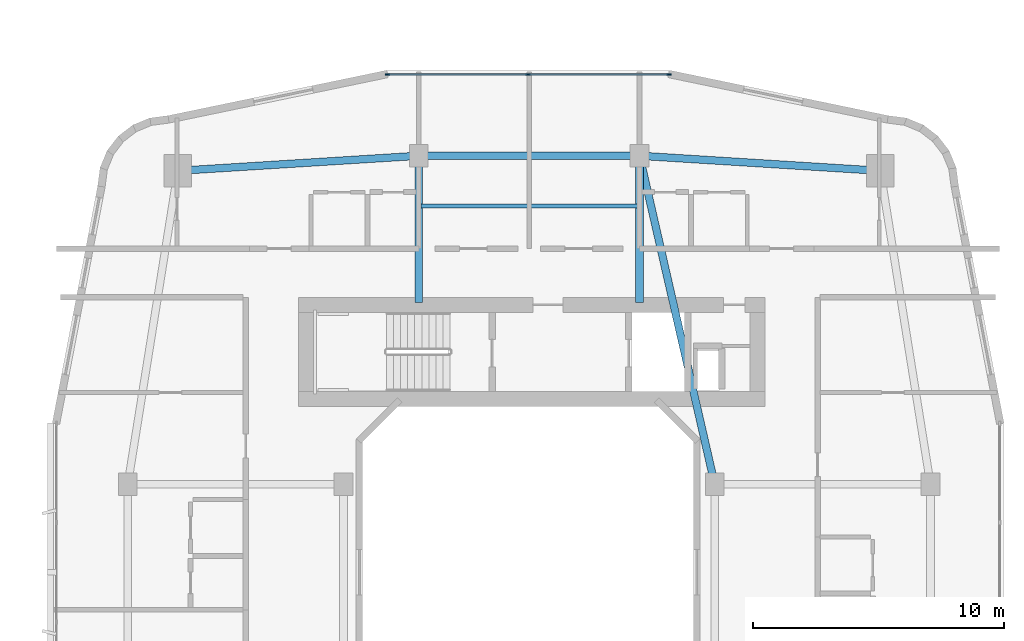
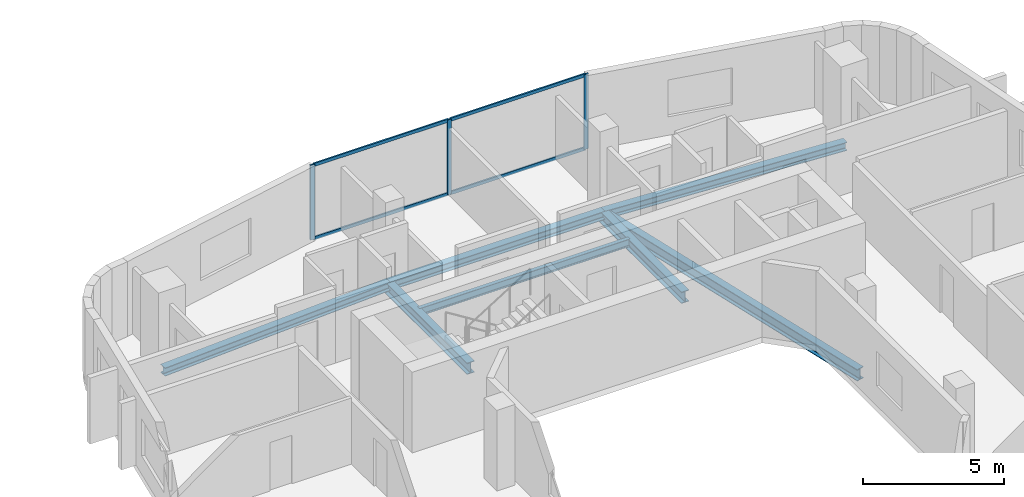
# One storey, part 11 of 27: 7 beams, 7 members, 1 element without a shape of its own.
"""IFC4 building model written with IfcOpenShell, lengths in metres."""

import ifcopenshell
import ifcopenshell.guid

model = None  # the IFC model being written
_history = None  # IfcOwnerHistory: only IFC2X3 demands one
_inside = {}  # id of a spatial element -> (the spatial element, [elements in it])
_under = {}  # id of a project, library or spatial element -> (it, [spatial elements below it])
_declared = {}  # id of a project -> (the project, [libraries it declares])
_typed = {}  # id of a type object -> (the type object, [elements of that type])
_made_of = {}  # id of a material, layer set ... -> (it, [elements and type objects made of it])


def new_model(schema):
    """Start an empty IFC model of exactly this schema.

    Asked for "IFC4X3", IfcOpenShell would pick the latest addendum, in which some entities
    have other attributes; the version numbers below select the first issue.
    IFC2X3 requires an IfcOwnerHistory on every rooted entity: one is made here for all.
    """
    global model, _history
    if schema == "IFC4X3":
        model = ifcopenshell.file(schema_version=(4, 3, 0, 0))
    else:
        model = ifcopenshell.file(schema=schema)
    _inside.clear()
    _under.clear()
    _declared.clear()
    _typed.clear()
    _made_of.clear()
    _history = None
    if model.schema == "IFC2X3":
        org = make("IfcOrganization", Name="unknown")
        user = make(
            "IfcPersonAndOrganization",
            ThePerson=make("IfcPerson", FamilyName="unknown"),
            TheOrganization=org,
        )
        app = make(
            "IfcApplication",
            ApplicationDeveloper=org,
            Version="unknown",
            ApplicationFullName="unknown",
            ApplicationIdentifier="unknown",
        )
        _history = make(
            "IfcOwnerHistory",
            OwningUser=user,
            OwningApplication=app,
            ChangeAction="ADDED",
            CreationDate=0,
        )
    return model


def make(cls, **values):
    """One entity of the class cls with the attributes given. An attribute that is None is left unset."""
    return model.create_entity(
        cls, **{name: value for name, value in values.items() if value is not None}
    )


def rooted(cls, **values):
    """An entity with a GlobalId (a new one), such as an element, a storey or a relation."""
    return make(cls, GlobalId=ifcopenshell.guid.new(), OwnerHistory=_history, **values)


def si_unit(unit_type, name, prefix=None):
    """IfcSIUnit, for example si_unit("LENGTHUNIT", "METRE", prefix="MILLI")."""
    return make("IfcSIUnit", UnitType=unit_type, Prefix=prefix, Name=name)


def derived_unit(unit_type, elements):
    """IfcDerivedUnit: a product of units, each with its exponent."""
    return make(
        "IfcDerivedUnit",
        Elements=[
            make("IfcDerivedUnitElement", Unit=unit, Exponent=power)
            for unit, power in elements
        ],
        UnitType=unit_type,
    )


def assignment(units):
    """IfcUnitAssignment: the units of a project."""
    return None if units is None else make("IfcUnitAssignment", Units=units)


def point(xyz):
    """IfcCartesianPoint."""
    return None if xyz is None else make("IfcCartesianPoint", Coordinates=xyz)


def direction(xyz):
    """IfcDirection."""
    return None if xyz is None else make("IfcDirection", DirectionRatios=xyz)


def frame(location, z_axis=None, x_axis=None):
    """IfcAxis2Placement3D, a coordinate frame: its origin and axes. An axis left out is left unset."""
    return make(
        "IfcAxis2Placement3D",
        Location=point(location),
        Axis=direction(z_axis),
        RefDirection=direction(x_axis),
    )


def frame_2d(location, x_axis=None):
    """IfcAxis2Placement2D, a coordinate frame in the plane: its origin and x axis."""
    return make(
        "IfcAxis2Placement2D", Location=point(location), RefDirection=direction(x_axis)
    )


def origin():
    """The frame at (0, 0, 0) with its axes left unset."""
    return frame((0.0, 0.0, 0.0))


def origin_2d():
    """The frame at (0, 0) in the plane with its x axis left unset."""
    return frame_2d((0.0, 0.0))


def place(relative_to, where):
    """IfcLocalPlacement: puts the frame where relative to a parent placement (None: the world)."""
    return make(
        "IfcLocalPlacement", PlacementRelTo=relative_to, RelativePlacement=where
    )


def context(
    kind, dimensions, precision=None, world=None, true_north=None, identifier=None
):
    """IfcGeometricRepresentationContext, for example the 3D "Model" context."""
    return make(
        "IfcGeometricRepresentationContext",
        ContextIdentifier=identifier,
        ContextType=kind,
        CoordinateSpaceDimension=dimensions,
        Precision=precision,
        WorldCoordinateSystem=world,
        TrueNorth=true_north,
    )


def subcontext(parent, identifier, kind, view, scale=None):
    """IfcGeometricRepresentationSubContext, for example "Body" below "Model"."""
    return make(
        "IfcGeometricRepresentationSubContext",
        ContextIdentifier=identifier,
        ContextType=kind,
        ParentContext=parent,
        TargetScale=scale,
        TargetView=view,
    )


def project(units=None, contexts=None):
    """IfcProject with its units and contexts."""
    return rooted(
        "IfcProject",
        Name="project",
        RepresentationContexts=contexts,
        UnitsInContext=assignment(units),
    )


def spatial(cls, under=None, at=None, **own):
    """A site, building, storey or space (cls), placed at a placement, below another one or the project."""
    s = rooted(cls, ObjectPlacement=at, **own)
    if under is not None:
        _under.setdefault(under.id(), (under, []))[1].append(s)
    return s


def profile(cls, at=None, kind="AREA", **sizes):
    """A parametric profile (cls). Its sizes go by their IFC names, for example OverallWidth=200.0."""
    return make(cls, ProfileType=kind, Position=at, **sizes)


def rectangle(**sizes):
    """IfcRectangleProfileDef."""
    return profile("IfcRectangleProfileDef", **sizes)


def i_section(**sizes):
    """IfcIShapeProfileDef."""
    return profile("IfcIShapeProfileDef", **sizes)


def extrude(swept, where, along, depth):
    """IfcExtrudedAreaSolid: the profile swept, set in the frame where, extruded along a direction by depth."""
    return make(
        "IfcExtrudedAreaSolid",
        SweptArea=swept,
        Position=where,
        ExtrudedDirection=direction(along),
        Depth=depth,
    )


def shape(context_of_items, identifier, shape_type, items):
    """IfcShapeRepresentation: the items that make up one representation, for example the "Body"."""
    return make(
        "IfcShapeRepresentation",
        ContextOfItems=context_of_items,
        RepresentationIdentifier=identifier,
        RepresentationType=shape_type,
        Items=items,
    )


def material(Name=None, Category=None):
    """IfcMaterial."""
    return make("IfcMaterial", Name=Name, Category=Category)


def layer(
    of_material, thickness, ventilated=None, Name=None, Category=None, Priority=None
):
    """IfcMaterialLayer: one layer of a wall or slab, of a material (None: an air gap)."""
    return make(
        "IfcMaterialLayer",
        Material=of_material,
        LayerThickness=thickness,
        IsVentilated=ventilated,
        Name=Name,
        Category=Category,
        Priority=Priority,
    )


def layer_set(layers, Name=None):
    """IfcMaterialLayerSet."""
    return make("IfcMaterialLayerSet", MaterialLayers=layers, LayerSetName=Name)


def material_profile(
    of_material, cross_section, Name=None, Category=None, Priority=None
):
    """IfcMaterialProfile: a cross section and its material."""
    return make(
        "IfcMaterialProfile",
        Name=Name,
        Material=of_material,
        Profile=cross_section,
        Priority=Priority,
        Category=Category,
    )


def profile_set(profiles, Name=None, composite=None):
    """IfcMaterialProfileSet."""
    return make(
        "IfcMaterialProfileSet",
        Name=Name,
        MaterialProfiles=profiles,
        CompositeProfile=composite,
    )


def made_of(thing, what):
    """Note that an element or type object is made of a material, layer set ...; save() writes the relation."""
    if what is not None:
        _made_of.setdefault(what.id(), (what, []))[1].append(thing)
    return thing


def type_object(cls, material=None, **own):
    """A type object (cls), such as IfcWallType, which elements share."""
    return made_of(rooted(cls, **own), material)


def element(
    cls,
    number,
    at=None,
    inside=None,
    cuts=None,
    type_object=None,
    material=None,
    context=None,
    identifier="Body",
    shape_type=None,
    held_by="IfcProductDefinitionShape",
    body=None,
    shapes=None,
    **own,
):
    """One element of the class cls, such as IfcWall. Its Tag is "e" and its number.

    at: its placement. inside: the storey or other place that contains it. cuts: it is an
    opening in that element (IfcRelVoidsElement). A single representation is given by context,
    identifier, shape_type and body (its items); several are given by shapes. held_by: the class
    of the entity that holds the representations. save() writes the other relations.
    """
    e = rooted(cls, Tag="e%d" % number, ObjectPlacement=at, **own)
    if body is not None:
        shapes = [shape(context, identifier, shape_type, body)]
    if shapes is not None:
        e.Representation = make(held_by, Representations=shapes)
    if inside is not None:
        _inside.setdefault(inside.id(), (inside, []))[1].append(e)
    if cuts is not None:
        rooted(
            "IfcRelVoidsElement", RelatingBuildingElement=cuts, RelatedOpeningElement=e
        )
    if type_object is not None:
        _typed.setdefault(type_object.id(), (type_object, []))[1].append(e)
    return made_of(e, material)


def aggregate(whole, parts):
    """IfcRelAggregates: a whole, such as a stair, and the parts it consists of."""
    return rooted("IfcRelAggregates", RelatingObject=whole, RelatedObjects=parts)


def save(model, path):
    """Write the relations noted so far, then the file.

    IfcRelAggregates (storeys below a building ...), IfcRelContainedInSpatialStructure (elements
    in a storey), IfcRelDefinesByType, IfcRelAssociatesMaterial and IfcRelDeclares: one each for
    every whole, place, type object, material and project.
    """
    for whole, parts in _under.values():
        aggregate(whole, parts)
    for where, things in _inside.values():
        rooted(
            "IfcRelContainedInSpatialStructure",
            RelatedElements=things,
            RelatingStructure=where,
        )
    for kind, things in _typed.values():
        rooted("IfcRelDefinesByType", RelatedObjects=things, RelatingType=kind)
    for what, things in _made_of.values():
        rooted("IfcRelAssociatesMaterial", RelatedObjects=things, RelatingMaterial=what)
    for by, libraries in _declared.values():
        rooted("IfcRelDeclares", RelatingContext=by, RelatedDefinitions=libraries)
    model.write(path)


model = new_model("IFC4")

# Units and contexts
model_context = context("Model", 3, precision=1e-05, world=origin(), true_north=direction((0.0, 1.0)))
body_context = subcontext(model_context, "Body", "Model", "MODEL_VIEW")
ifc_project = project(units=[si_unit("LENGTHUNIT", "METRE"), si_unit("AREAUNIT", "SQUARE_METRE"), si_unit("VOLUMEUNIT", "CUBIC_METRE"), si_unit("PLANEANGLEUNIT", "RADIAN"), si_unit("MASSUNIT", "GRAM", prefix="KILO"), derived_unit("THERMALTRANSMITTANCEUNIT", [(si_unit("POWERUNIT", "WATT"), 1), (si_unit("LENGTHUNIT", "METRE"), -2), (si_unit("THERMODYNAMICTEMPERATUREUNIT", "KELVIN"), -1)])], contexts=[model_context])

# Site, building, storey
site_placement = place(None, origin())
site = spatial("IfcSite", under=ifc_project, at=site_placement, CompositionType="ELEMENT")
building_placement = place(site_placement, origin())
building = spatial("IfcBuilding", under=site, at=building_placement, Name="Kivonza Crest Hotel", CompositionType="ELEMENT")
storey_placement = place(building_placement, frame((0.0, 0.0, 41.5)))
storey = spatial("IfcBuildingStorey", under=building, at=storey_placement, Name="L10", CompositionType="ELEMENT", Elevation=41.5)

# Beams
ifc_material_1 = material(Name="Steel S355", Category="steel")
ifc_material_profile_1 = material_profile(ifc_material_1, i_section(OverallWidth=0.300048828125, OverallDepth=0.360107421875, WebThickness=0.012451171875, FlangeThickness=0.0224609375, FilletRadius=0.027099609375, at=origin_2d()), Name="HEB 360")
ifc_profile_set_1 = profile_set([ifc_material_profile_1], Name="Steel S355")
beam_type_1 = type_object("IfcBeamType", Name="BM-HEB360", PredefinedType="SPANDREL", material=ifc_profile_set_1)
beam_1_placement = place(storey_placement, frame((91.0, 41.0, -0.429931640625), z_axis=(-0.998051985873, 0.062387767186, 0.0), x_axis=(-0.062387767186, -0.998051985873, 0.0)))
element("IfcBeam", 1, at=beam_1_placement, inside=storey, type_object=beam_type_1, Name="Companion Tower T2 L10 perimeter spandrel NE-N2", PredefinedType="SPANDREL", context=body_context, shape_type="SweptSolid", body=[
    extrude(i_section(OverallWidth=0.300048828125, OverallDepth=0.360107421875, WebThickness=0.012451171875, FlangeThickness=0.0224609375, FilletRadius=0.027099609375, at=origin_2d()), origin(), (0.0, 0.0, 1.0), 9.618896484375),
])
beam_2_placement = place(storey_placement, frame((81.39990234375, 41.60009765625, -0.429931640625), z_axis=(-1.0, 0.0, 0.0), x_axis=(0.0, -1.0, 0.0)))
element("IfcBeam", 2, at=beam_2_placement, inside=storey, type_object=beam_type_1, Name="Companion Tower T2 L10 perimeter spandrel N2-N1", PredefinedType="SPANDREL", context=body_context, shape_type="SweptSolid", body=[
    extrude(i_section(OverallWidth=0.300048828125, OverallDepth=0.360107421875, WebThickness=0.012451171875, FlangeThickness=0.0224609375, FilletRadius=0.027099609375, at=origin_2d()), origin(), (0.0, 0.0, 1.0), 8.7998046875),
])
beam_3_placement = place(storey_placement, frame((72.60009765625, 41.60009765625, -0.429931640625), z_axis=(-0.998051985873, -0.062387767186, 0.0), x_axis=(0.062387767186, -0.998051985873, 0.0)))
element("IfcBeam", 3, at=beam_3_placement, inside=storey, type_object=beam_type_1, Name="Companion Tower T2 L10 perimeter spandrel N1-NW", PredefinedType="SPANDREL", context=body_context, shape_type="SweptSolid", body=[
    extrude(i_section(OverallWidth=0.300048828125, OverallDepth=0.360107421875, WebThickness=0.012451171875, FlangeThickness=0.0224609375, FilletRadius=0.027099609375, at=origin_2d()), origin(), (0.0, 0.0, 1.0), 9.618896484375),
])
ifc_material_profile_2 = material_profile(ifc_material_1, i_section(OverallWidth=0.300048828125, OverallDepth=0.5, WebThickness=0.014404296875, FlangeThickness=0.028076171875, FilletRadius=0.027099609375, at=origin_2d()), Name="HEB 500")
ifc_profile_set_2 = profile_set([ifc_material_profile_2], Name="Steel S355")
beam_type_2 = type_object("IfcBeamType", Name="BM-HEB500", PredefinedType="BEAM", material=ifc_profile_set_2)
beam_4_placement = place(storey_placement, frame((84.39990234375, 28.5, -0.5), z_axis=(-0.223227287589, 0.974766422317, 0.0), x_axis=(-0.974766422317, -0.223227287589, 0.0)))
element("IfcBeam", 4, at=beam_4_placement, inside=storey, type_object=beam_type_2, Name="Companion Tower T2 L10 girder WR2-N2", PredefinedType="BEAM", context=body_context, shape_type="SweptSolid", body=[
    extrude(i_section(OverallWidth=0.300048828125, OverallDepth=0.5, WebThickness=0.014404296875, FlangeThickness=0.028076171875, FilletRadius=0.027099609375, at=origin_2d()), origin(), (0.0, 0.0, 1.0), 13.439208984375),
])
for number, where, z_axis, x_axis, name in (
    (5, (72.60009765625, 41.60009765625, -0.5), (0.0, -1.0, 0.0), (1.0, 0.0, 0.0), "Companion T2 L10 radial core girder RN1"),
    (6, (81.39990234375, 41.60009765625, -0.5), (0.0, -1.0, 0.0), (1.0, 0.0, 0.0), "Companion T2 L10 radial core girder RN2"),
):
    element("IfcBeam", number, at=place(storey_placement, frame(where, z_axis=z_axis, x_axis=x_axis)), inside=storey, type_object=beam_type_2, Name=name, PredefinedType="BEAM", context=body_context, shape_type="SweptSolid", body=[
        extrude(i_section(OverallWidth=0.300048828125, OverallDepth=0.5, WebThickness=0.014404296875, FlangeThickness=0.028076171875, FilletRadius=0.027099609375, at=origin_2d()), origin(), (0.0, 0.0, 1.0), 5.85009765625),
    ])
ifc_material_profile_3 = material_profile(ifc_material_1, i_section(OverallWidth=0.159912109375, OverallDepth=0.330078125, WebThickness=0.007568359375, FlangeThickness=0.011474609375, FilletRadius=0.01806640625, at=origin_2d()), Name="IPE 330")
ifc_profile_set_3 = profile_set([ifc_material_profile_3], Name="Steel S355")
beam_type_3 = type_object("IfcBeamType", Name="BM-IPE330", PredefinedType="JOIST", material=ifc_profile_set_3)
beam_5_placement = place(storey_placement, frame((72.679931640625, 39.60009765625, -0.4150390625), z_axis=(1.0, 0.0, 0.0), x_axis=(0.0, 1.0, 0.0)))
element("IfcBeam", 7, at=beam_5_placement, inside=storey, type_object=beam_type_3, Name="Companion Tower T2 L10 North floor joist", PredefinedType="JOIST", context=body_context, shape_type="SweptSolid", body=[
    extrude(i_section(OverallWidth=0.159912109375, OverallDepth=0.330078125, WebThickness=0.007568359375, FlangeThickness=0.011474609375, FilletRadius=0.01806640625, at=origin_2d()), origin(), (0.0, 0.0, 1.0), 8.64013671875),
])

# Curtain wall, members
ifc_material_2 = material(Name="Anodised bronze aluminium and low-E double glazing", Category="aluminium")
ifc_layer = layer(ifc_material_2, 0.179931640625)
ifc_layer_set = layer_set([ifc_layer], Name="Anodised bronze aluminium and low-E double glazing")
curtain_wall_type = type_object("IfcCurtainWallType", Name="CW-SYS-4", PredefinedType="NOTDEFINED", material=ifc_layer_set)
curtain_wall_placement = place(storey_placement, origin())
curtain_wall = element("IfcCurtainWall", 8, at=curtain_wall_placement, inside=storey, type_object=curtain_wall_type, Name="L10 unitised curtain wall CW-T2-L10-26", PredefinedType="NOTDEFINED")
ifc_material_3 = material(Name="Anodised bronze aluminium", Category="aluminium")
ifc_material_profile_4 = material_profile(ifc_material_3, rectangle(XDim=0.06494140625, YDim=0.179931640625, at=origin_2d()), Name="CW-M 65x180")
ifc_profile_set_4 = profile_set([ifc_material_profile_4], Name="Anodised bronze aluminium")
member_type_1 = type_object("IfcMemberType", Name="CW-MUL-65x180", PredefinedType="MULLION", material=ifc_profile_set_4)
member_1_placement = place(storey_placement, frame((82.575439453125, 44.840087890625, 0.0), z_axis=(0.0, 0.0, 1.0), x_axis=(0.0, -1.0, 0.0)))
member_1 = element("IfcMember", 9, at=member_1_placement, type_object=member_type_1, Name="CW-4 mullion 1", PredefinedType="MULLION", context=body_context, shape_type="SweptSolid", body=[
    extrude(rectangle(XDim=0.06494140625, YDim=0.179931640625, at=origin_2d()), origin(), (0.0, 0.0, 1.0), 3.25),
])
member_2_placement = place(storey_placement, frame((76.9599609375, 44.840087890625, 0.0), z_axis=(0.0, 0.0, 1.0), x_axis=(0.0, -1.0, 0.0)))
member_2 = element("IfcMember", 10, at=member_2_placement, type_object=member_type_1, Name="CW-4 mullion 2", PredefinedType="MULLION", context=body_context, shape_type="SweptSolid", body=[
    extrude(rectangle(XDim=0.06494140625, YDim=0.179931640625, at=origin_2d()), origin(), (0.0, 0.0, 1.0), 3.25),
])
member_3_placement = place(storey_placement, frame((71.344482421875, 44.840087890625, 0.0), z_axis=(0.0, 0.0, 1.0), x_axis=(0.0, -1.0, 0.0)))
member_3 = element("IfcMember", 11, at=member_3_placement, type_object=member_type_1, Name="CW-4 mullion 3", PredefinedType="MULLION", context=body_context, shape_type="SweptSolid", body=[
    extrude(rectangle(XDim=0.06494140625, YDim=0.179931640625, at=origin_2d()), origin(), (0.0, 0.0, 1.0), 3.25),
])
ifc_material_profile_5 = material_profile(ifc_material_3, rectangle(XDim=0.06494140625, YDim=0.139892578125, at=origin_2d()), Name="CW-T 65x140")
ifc_profile_set_5 = profile_set([ifc_material_profile_5], Name="Anodised bronze aluminium")
member_type_2 = type_object("IfcMemberType", Name="CW-TRN-65x140", PredefinedType="USERDEFINED", material=ifc_profile_set_5)
member_4_placement = place(storey_placement, frame((82.54296875, 44.840087890625, 0.032470703125), z_axis=(-1.0, 0.0, 0.0), x_axis=(0.0, -1.0, 0.0)))
member_4 = element("IfcMember", 12, at=member_4_placement, type_object=member_type_2, Name="CW-4 transom 1.1", ObjectType="TRANSOM", PredefinedType="USERDEFINED", context=body_context, shape_type="SweptSolid", body=[
    extrude(rectangle(XDim=0.06494140625, YDim=0.139892578125, at=origin_2d()), origin(), (0.0, 0.0, 1.0), 5.550537109375),
])
member_5_placement = place(storey_placement, frame((82.54296875, 44.840087890625, 3.217529296875), z_axis=(-1.0, 0.0, 0.0), x_axis=(0.0, -1.0, 0.0)))
member_5 = element("IfcMember", 13, at=member_5_placement, type_object=member_type_2, Name="CW-4 transom 1.2", ObjectType="TRANSOM", PredefinedType="USERDEFINED", context=body_context, shape_type="SweptSolid", body=[
    extrude(rectangle(XDim=0.06494140625, YDim=0.139892578125, at=origin_2d()), origin(), (0.0, 0.0, 1.0), 5.550537109375),
])
member_6_placement = place(storey_placement, frame((76.927490234375, 44.840087890625, 0.032470703125), z_axis=(-1.0, 0.0, 0.0), x_axis=(0.0, -1.0, 0.0)))
member_6 = element("IfcMember", 14, at=member_6_placement, type_object=member_type_2, Name="CW-4 transom 2.1", ObjectType="TRANSOM", PredefinedType="USERDEFINED", context=body_context, shape_type="SweptSolid", body=[
    extrude(rectangle(XDim=0.06494140625, YDim=0.139892578125, at=origin_2d()), origin(), (0.0, 0.0, 1.0), 5.550537109375),
])
member_7_placement = place(storey_placement, frame((76.927490234375, 44.840087890625, 3.217529296875), z_axis=(-1.0, 0.0, 0.0), x_axis=(0.0, -1.0, 0.0)))
member_7 = element("IfcMember", 15, at=member_7_placement, type_object=member_type_2, Name="CW-4 transom 2.2", ObjectType="TRANSOM", PredefinedType="USERDEFINED", context=body_context, shape_type="SweptSolid", body=[
    extrude(rectangle(XDim=0.06494140625, YDim=0.139892578125, at=origin_2d()), origin(), (0.0, 0.0, 1.0), 5.550537109375),
])
aggregate(curtain_wall, [member_1, member_2, member_3, member_4, member_5, member_6, member_7])

save(model, "model.ifc")
